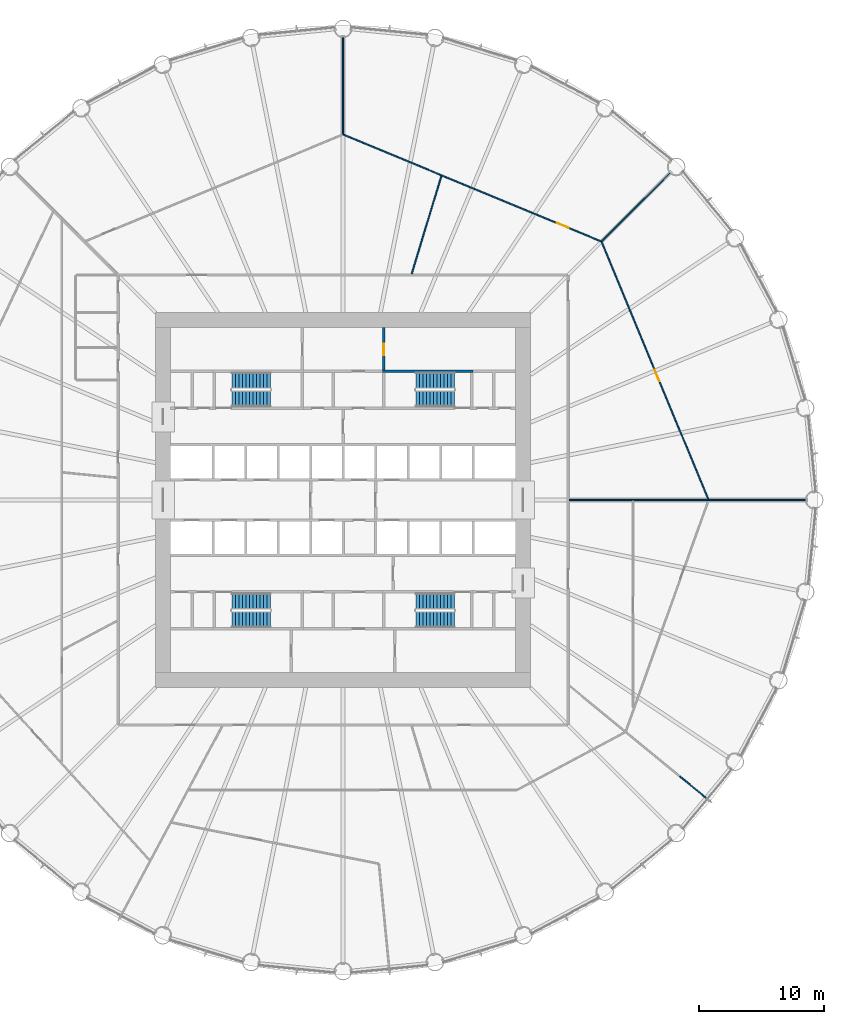
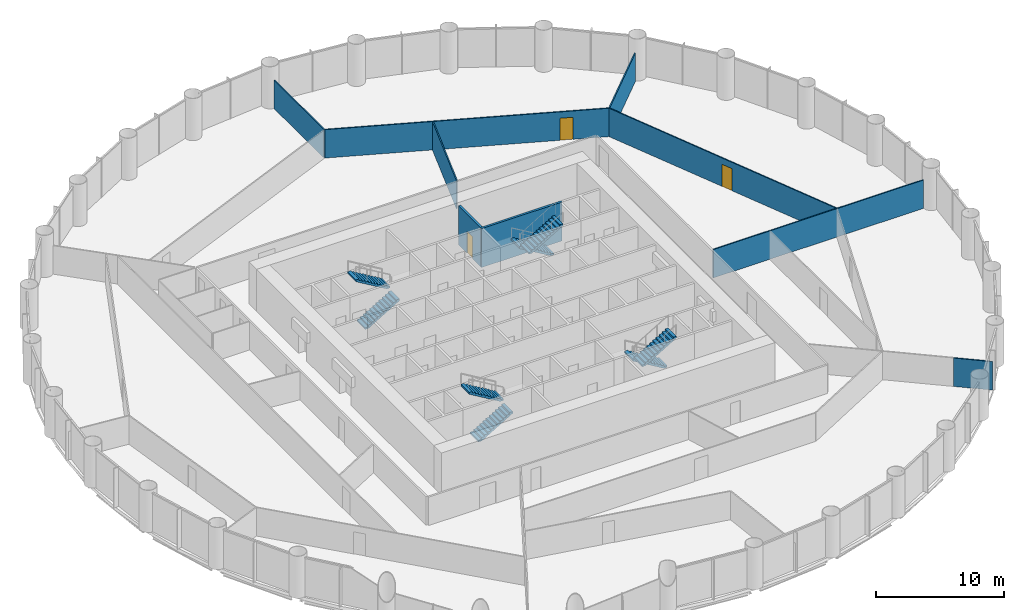
# One storey, part 14 of 15: 9 walls, 8 stair flights, 3 doors, 3 openings, 4 elements without a shape of their own.
"""IFC4 building model written with IfcOpenShell, lengths in metres."""

from ifc_helpers import new_model, si_unit, direction, frame, frame_2d, origin, place, context, subcontext, project, spatial, polyline, rectangle, outline, extrude, material, layer, layer_set, type_object, element, fill, aggregate, save


model = new_model("IFC4")

# Units and contexts
model_context = context("Model", 3, precision=1e-05, world=origin(), true_north=direction((0.0, 1.0)))
body_context = subcontext(model_context, "Body", "Model", "MODEL_VIEW")
ifc_project = project(units=[si_unit("LENGTHUNIT", "METRE"), si_unit("AREAUNIT", "SQUARE_METRE"), si_unit("VOLUMEUNIT", "CUBIC_METRE"), si_unit("PLANEANGLEUNIT", "RADIAN"), si_unit("MASSUNIT", "GRAM", prefix="KILO")], contexts=[model_context])

# Site, building, storey
site_placement = place(None, origin())
site = spatial("IfcSite", under=ifc_project, at=site_placement, CompositionType="ELEMENT")
building_placement = place(site_placement, origin())
building = spatial("IfcBuilding", under=site, at=building_placement, Name="Corvane Civic Tower", CompositionType="ELEMENT")
storey_placement = place(building_placement, frame((0.0, 0.0, 57.0)))
storey = spatial("IfcBuildingStorey", under=building, at=storey_placement, Name="L12", CompositionType="ELEMENT", Elevation=57.0)

# Wall, opening, door
ifc_material_1 = material(Name="Concrete C30/37", Category="concrete")
ifc_layer_1 = layer(ifc_material_1, 0.199951171875)
ifc_layer_set_1 = layer_set([ifc_layer_1], Name="Concrete C30/37")
wall_type_1 = type_object("IfcWallType", Name="CR-WALL-200", PredefinedType="PARTITIONING", material=ifc_layer_set_1)
wall_1_placement = place(storey_placement, frame((3.25, 10.39990234375, 0.0), z_axis=(0.0, 0.0, 1.0), x_axis=(0.0, 1.0, 0.0)))
wall_1 = element("IfcWall", 1, at=wall_1_placement, inside=storey, type_object=wall_type_1, Name="L12 partition wall", PredefinedType="PARTITIONING", context=body_context, shape_type="SweptSolid", body=[
    extrude(rectangle(XDim=3.400146484375, YDim=0.199951171875, at=frame_2d((1.7001953125, 0.0))), origin(), (0.0, 0.0, 1.0), 3.699951171875),
])
opening_1_placement = place(wall_1_placement, frame((1.199951171875, 0.0, 0.0)))
opening_1 = element("IfcOpeningElement", 2, at=opening_1_placement, cuts=wall_1, Name="Opening L12.C08", PredefinedType="OPENING", context=body_context, shape_type="SweptSolid", body=[
    extrude(rectangle(XDim=0.89990234375, YDim=2.10009765625, at=frame_2d((0.449951171875, 1.050048828125))), frame((0.0, 0.10986328125, 0.0), z_axis=(0.0, -1.0, 0.0), x_axis=(1.0, 0.0, 0.0)), (0.0, 0.0, 1.0), 0.219970703125),
])
ifc_material_2 = material(Name="Steel fire door leaf", Category="steel")
door_type_1 = type_object("IfcDoorType", Name="CR-DOOR-900", OperationType="SINGLE_SWING_LEFT", PredefinedType="DOOR", material=ifc_material_2)
door_1_placement = place(opening_1_placement, origin())
door_1 = element("IfcDoor", 3, at=door_1_placement, inside=storey, type_object=door_type_1, Name="L12 door", OperationType="SINGLE_SWING_LEFT", OverallHeight=2.10009765625, OverallWidth=0.89990234375, PredefinedType="DOOR", context=body_context, shape_type="SweptSolid", body=[
    extrude(rectangle(XDim=0.89990234375, YDim=2.10009765625, at=frame_2d((0.449951171875, 1.050048828125))), frame((0.0, 0.02490234375, 0.0), z_axis=(0.0, -1.0, 0.0), x_axis=(1.0, 0.0, 0.0)), (0.0, 0.0, 1.0), 0.050048828125),
])
fill(opening_1, door_1)

# Walls
ifc_material_3 = material(Name="Plasterboard")
ifc_layer_2 = layer(ifc_material_3, 0.10009765625)
ifc_layer_set_2 = layer_set([ifc_layer_2], Name="Plasterboard")
wall_type_2 = type_object("IfcWallType", Name="Partition 100 plasterboard on studs", PredefinedType="PARTITIONING", material=ifc_layer_set_2)
wall_2_placement = place(storey_placement, frame((26.934814453125, -22.104736328125, 0.0), z_axis=(0.0, 0.0, 1.0), x_axis=(0.773024942362, -0.634375628856, 0.0)))
element("IfcWall", 4, at=wall_2_placement, inside=storey, type_object=wall_type_2, Name="Partition L12.005", PredefinedType="PARTITIONING", context=body_context, shape_type="SweptSolid", body=[
    extrude(rectangle(XDim=3.106201171875, YDim=0.10009765625, at=frame_2d((1.55322265625, 0.0))), origin(), (0.0, 0.0, 1.0), 2.699951171875),
])
wall_3_placement = place(storey_placement, frame((18.074951171875, 0.0, 0.0), z_axis=(0.0, 0.0, 1.0), x_axis=(1.0, 0.0, 0.0)))
element("IfcWall", 5, at=wall_3_placement, inside=storey, type_object=wall_type_2, Name="Partition L12.019", PredefinedType="PARTITIONING", context=body_context, shape_type="SweptSolid", body=[
    extrude(rectangle(XDim=18.9150390625, YDim=0.10009765625, at=frame_2d((9.45751953125, 0.0))), origin(), (0.0, 0.0, 1.0), 2.699951171875),
])

# Wall, opening, door
wall_4_placement = place(storey_placement, frame((20.6884765625, 20.644775390625, 0.0), z_axis=(0.0, 0.0, 1.0), x_axis=(0.382682584539, -0.923879883692, 0.0)))
wall_4 = element("IfcWall", 6, at=wall_4_placement, inside=storey, type_object=wall_type_2, Name="Partition L12.020", PredefinedType="PARTITIONING", context=body_context, shape_type="SweptSolid", body=[
    extrude(rectangle(XDim=22.27099609375, YDim=0.10009765625, at=frame_2d((11.135498046875, 0.0))), origin(), (0.0, 0.0, 1.0), 2.699951171875),
])
opening_2_placement = place(wall_4_placement, frame((11.07177734375, 0.0, 0.0)))
opening_2 = element("IfcOpeningElement", 7, at=opening_2_placement, cuts=wall_4, Name="Opening L12.020", PredefinedType="OPENING", context=body_context, shape_type="SweptSolid", body=[
    extrude(rectangle(XDim=1.0, YDim=2.10009765625, at=frame_2d((0.5, 1.050048828125))), frame((0.0, 0.06005859375, 0.0), z_axis=(0.0, -1.0, 0.0), x_axis=(1.0, 0.0, 0.0)), (0.0, 0.0, 1.0), 0.1201171875),
])
ifc_material_4 = material(Name="Timber", Category="wood")
door_type_2 = type_object("IfcDoorType", Name="Single door 1000", OperationType="NOTDEFINED", PredefinedType="DOOR", material=ifc_material_4)
door_2_placement = place(opening_2_placement, origin())
door_2 = element("IfcDoor", 8, at=door_2_placement, inside=storey, type_object=door_type_2, Name="Door L12.020", OperationType="SINGLE_SWING_RIGHT", OverallHeight=2.10009765625, OverallWidth=1.0, PredefinedType="DOOR", context=body_context, shape_type="SweptSolid", body=[
    extrude(rectangle(XDim=1.0, YDim=2.10009765625, at=frame_2d((0.5, 1.050048828125))), frame((0.0, 0.02490234375, 0.0), z_axis=(0.0, -1.0, 0.0), x_axis=(1.0, 0.0, 0.0)), (0.0, 0.0, 1.0), 0.050048828125),
])
fill(opening_2, door_2)

# Wall
wall_5_placement = place(storey_placement, frame((5.4873046875, 18.089599609375, 0.0), z_axis=(0.0, 0.0, 1.0), x_axis=(0.290307025947, 0.956933556045, 0.0)))
element("IfcWall", 9, at=wall_5_placement, inside=storey, type_object=wall_type_2, Name="Partition L12.031", PredefinedType="PARTITIONING", context=body_context, shape_type="SweptSolid", body=[
    extrude(rectangle(XDim=8.18603515625, YDim=0.10009765625, at=frame_2d((4.093017578125, 0.0))), origin(), (0.0, 0.0, 1.0), 2.699951171875),
])

# Wall, opening, door
wall_6_placement = place(storey_placement, frame((0.031005859375, 29.22705078125, 0.0), z_axis=(0.0, 0.0, 1.0), x_axis=(0.923878402591, -0.382686160222, 0.0)))
wall_6 = element("IfcWall", 10, at=wall_6_placement, inside=storey, type_object=wall_type_2, Name="Partition L12.032", PredefinedType="PARTITIONING", context=body_context, shape_type="SweptSolid", body=[
    extrude(rectangle(XDim=22.312255859375, YDim=0.10009765625, at=frame_2d((11.15625, 0.0))), origin(), (0.0, 0.0, 1.0), 2.699951171875),
])
opening_3_placement = place(wall_6_placement, frame((18.4853515625, 0.0, 0.0)))
opening_3 = element("IfcOpeningElement", 11, at=opening_3_placement, cuts=wall_6, Name="Opening L12.019", PredefinedType="OPENING", context=body_context, shape_type="SweptSolid", body=[
    extrude(rectangle(XDim=1.0, YDim=2.10009765625, at=frame_2d((0.5, 1.050048828125))), frame((0.0, 0.06005859375, 0.0), z_axis=(0.0, -1.0, 0.0), x_axis=(1.0, 0.0, 0.0)), (0.0, 0.0, 1.0), 0.1201171875),
])
door_3_placement = place(opening_3_placement, origin())
door_3 = element("IfcDoor", 12, at=door_3_placement, inside=storey, type_object=door_type_2, Name="Door L12.019", OperationType="SINGLE_SWING_LEFT", OverallHeight=2.10009765625, OverallWidth=1.0, PredefinedType="DOOR", context=body_context, shape_type="SweptSolid", body=[
    extrude(rectangle(XDim=1.0, YDim=2.10009765625, at=frame_2d((0.5, 1.050048828125))), frame((0.0, 0.02490234375, 0.0), z_axis=(0.0, -1.0, 0.0), x_axis=(1.0, 0.0, 0.0)), (0.0, 0.0, 1.0), 0.050048828125),
])
fill(opening_3, door_3)

# Walls
wall_7_placement = place(storey_placement, frame((20.69921875, 20.69921875, 0.0), z_axis=(0.0, 0.0, 1.0), x_axis=(0.707106781187, 0.707106781187, 0.0)))
element("IfcWall", 13, at=wall_7_placement, inside=storey, type_object=wall_type_2, Name="Partition L12.034", PredefinedType="PARTITIONING", context=body_context, shape_type="SweptSolid", body=[
    extrude(rectangle(XDim=7.717041015625, YDim=0.10009765625, at=frame_2d((3.8583984375, 0.0))), origin(), (0.0, 0.0, 1.0), 2.699951171875),
])
wall_8_placement = place(storey_placement, frame((0.0, 29.273193359375, 0.0), z_axis=(0.0, 0.0, 1.0), x_axis=(0.0, 1.0, 0.0)))
element("IfcWall", 14, at=wall_8_placement, inside=storey, type_object=wall_type_2, Name="Partition L12.035", PredefinedType="PARTITIONING", context=body_context, shape_type="SweptSolid", body=[
    extrude(rectangle(XDim=7.716796875, YDim=0.10009765625, at=frame_2d((3.8583984375, 0.0))), origin(), (0.0, 0.0, 1.0), 2.699951171875),
])
ifc_material_5 = material(Name="Concrete C50/60", Category="concrete")
ifc_layer_3 = layer(ifc_material_5, 0.199951171875)
ifc_layer_set_3 = layer_set([ifc_layer_3], Name="Concrete C50/60")
wall_type_3 = type_object("IfcWallType", Name="ST-WALL-200", PredefinedType="SHEAR", material=ifc_layer_set_3)
wall_9_placement = place(storey_placement, origin())
element("IfcWall", 15, at=wall_9_placement, inside=storey, type_object=wall_type_3, Name="L12 stair enclosure wall", PredefinedType="SHEAR", context=body_context, shape_type="SweptSolid", body=[
    extrude(outline(polyline([(10.39990234375, 10.199951171875), (3.14990234375, 10.199951171875), (3.14990234375, 10.39990234375), (10.39990234375, 10.39990234375), (10.39990234375, 10.199951171875)])), origin(), (0.0, 0.0, 1.0), 3.699951171875),
])

# Stair, stair flights
ifc_material_6 = material(Name="Concrete C40/50", Category="concrete")
stair_type = type_object("IfcStairType", Name="ST-STAIR-HALFTURN", PredefinedType="HALF_TURN_STAIR", material=ifc_material_6)
stair_1_placement = place(storey_placement, origin())
stair_1 = element("IfcStair", 16, at=stair_1_placement, inside=storey, type_object=stair_type, Name="L12 Exit stair ST1", PredefinedType="HALF_TURN_STAIR")
ifc_material_7 = material(Name="Concrete C40/50", Category="concrete")
stair_flight_type = type_object("IfcStairFlightType", Name="ST-FLIGHT-RC", PredefinedType="STRAIGHT", material=ifc_material_7)
stair_flight_1_placement = place(storey_placement, frame((8.89990234375, 9.550048828125, 0.0), z_axis=(0.0, 0.0, 1.0), x_axis=(-1.0, 0.0, 0.0)))
stair_flight_1 = element("IfcStairFlight", 17, at=stair_flight_1_placement, type_object=stair_flight_type, Name="ST1 flight 1", NumberOfRisers=12, NumberOfTreads=11, PredefinedType="STRAIGHT", RiserHeight=0.166666667, TreadLength=0.28, context=body_context, shape_type="SweptSolid", body=[
    extrude(outline(polyline([(0.0, 0.0), (0.0, 0.166748046875), (0.280029296875, 0.166748046875), (0.280029296875, 0.333251953125), (0.56005859375, 0.333251953125), (0.56005859375, 0.5), (0.840087890625, 0.5), (0.840087890625, 0.666748046875), (1.1201171875, 0.666748046875), (1.1201171875, 0.833251953125), (1.39990234375, 0.833251953125), (1.39990234375, 1.0), (1.679931640625, 1.0), (1.679931640625, 1.166748046875), (1.9599609375, 1.166748046875), (1.9599609375, 1.333251953125), (2.239990234375, 1.333251953125), (2.239990234375, 1.5), (2.52001953125, 1.5), (2.52001953125, 1.666748046875), (2.800048828125, 1.666748046875), (2.800048828125, 1.833251953125), (3.080078125, 1.833251953125), (3.080078125, 2.0), (3.080078125, 1.658935546875), (0.29296875, 0.0), (0.0, 0.0)])), frame((0.0, 0.64990234375, 0.0), z_axis=(0.0, -1.0, 0.0), x_axis=(1.0, 0.0, 0.0)), (0.0, 0.0, 1.0), 1.300048828125),
])
stair_flight_2_placement = place(storey_placement, frame((5.820068359375, 8.10009765625, 2.0), z_axis=(0.0, 0.0, 1.0), x_axis=(1.0, 0.0, 0.0)))
stair_flight_2 = element("IfcStairFlight", 18, at=stair_flight_2_placement, type_object=stair_flight_type, Name="ST1 flight 2", NumberOfRisers=12, NumberOfTreads=11, PredefinedType="STRAIGHT", RiserHeight=0.166666667, TreadLength=0.28, context=body_context, shape_type="SweptSolid", body=[
    extrude(outline(polyline([(0.0, 0.0), (0.0, 0.166748046875), (0.280029296875, 0.166748046875), (0.280029296875, 0.333251953125), (0.56005859375, 0.333251953125), (0.56005859375, 0.5), (0.840087890625, 0.5), (0.840087890625, 0.666748046875), (1.1201171875, 0.666748046875), (1.1201171875, 0.833251953125), (1.39990234375, 0.833251953125), (1.39990234375, 1.0), (1.679931640625, 1.0), (1.679931640625, 1.166748046875), (1.9599609375, 1.166748046875), (1.9599609375, 1.333251953125), (2.239990234375, 1.333251953125), (2.239990234375, 1.5), (2.52001953125, 1.5), (2.52001953125, 1.666748046875), (2.800048828125, 1.666748046875), (2.800048828125, 1.833251953125), (3.080078125, 1.833251953125), (3.080078125, 2.0), (3.080078125, 1.658935546875), (0.29296875, 0.0), (0.0, 0.0)])), frame((0.0, 0.64990234375, 0.0), z_axis=(0.0, -1.0, 0.0), x_axis=(1.0, 0.0, 0.0)), (0.0, 0.0, 1.0), 1.300048828125),
])
aggregate(stair_1, [stair_flight_1, stair_flight_2])

stair_2_placement = place(storey_placement, origin())
stair_2 = element("IfcStair", 19, at=stair_2_placement, inside=storey, type_object=stair_type, Name="L12 Exit stair ST2", PredefinedType="HALF_TURN_STAIR")
stair_flight_3_placement = place(storey_placement, frame((8.89990234375, -8.10009765625, 0.0), z_axis=(0.0, 0.0, 1.0), x_axis=(-1.0, 0.0, 0.0)))
stair_flight_3 = element("IfcStairFlight", 20, at=stair_flight_3_placement, type_object=stair_flight_type, Name="ST2 flight 1", NumberOfRisers=12, NumberOfTreads=11, PredefinedType="STRAIGHT", RiserHeight=0.166666667, TreadLength=0.28, context=body_context, shape_type="SweptSolid", body=[
    extrude(outline(polyline([(0.0, 0.0), (0.0, 0.166748046875), (0.280029296875, 0.166748046875), (0.280029296875, 0.333251953125), (0.56005859375, 0.333251953125), (0.56005859375, 0.5), (0.840087890625, 0.5), (0.840087890625, 0.666748046875), (1.1201171875, 0.666748046875), (1.1201171875, 0.833251953125), (1.39990234375, 0.833251953125), (1.39990234375, 1.0), (1.679931640625, 1.0), (1.679931640625, 1.166748046875), (1.9599609375, 1.166748046875), (1.9599609375, 1.333251953125), (2.239990234375, 1.333251953125), (2.239990234375, 1.5), (2.52001953125, 1.5), (2.52001953125, 1.666748046875), (2.800048828125, 1.666748046875), (2.800048828125, 1.833251953125), (3.080078125, 1.833251953125), (3.080078125, 2.0), (3.080078125, 1.658935546875), (0.29296875, 0.0), (0.0, 0.0)])), frame((0.0, 0.64990234375, 0.0), z_axis=(0.0, -1.0, 0.0), x_axis=(1.0, 0.0, 0.0)), (0.0, 0.0, 1.0), 1.300048828125),
])
stair_flight_4_placement = place(storey_placement, frame((5.820068359375, -9.550048828125, 2.0), z_axis=(0.0, 0.0, 1.0), x_axis=(1.0, 0.0, 0.0)))
stair_flight_4 = element("IfcStairFlight", 21, at=stair_flight_4_placement, type_object=stair_flight_type, Name="ST2 flight 2", NumberOfRisers=12, NumberOfTreads=11, PredefinedType="STRAIGHT", RiserHeight=0.166666667, TreadLength=0.28, context=body_context, shape_type="SweptSolid", body=[
    extrude(outline(polyline([(0.0, 0.0), (0.0, 0.166748046875), (0.280029296875, 0.166748046875), (0.280029296875, 0.333251953125), (0.56005859375, 0.333251953125), (0.56005859375, 0.5), (0.840087890625, 0.5), (0.840087890625, 0.666748046875), (1.1201171875, 0.666748046875), (1.1201171875, 0.833251953125), (1.39990234375, 0.833251953125), (1.39990234375, 1.0), (1.679931640625, 1.0), (1.679931640625, 1.166748046875), (1.9599609375, 1.166748046875), (1.9599609375, 1.333251953125), (2.239990234375, 1.333251953125), (2.239990234375, 1.5), (2.52001953125, 1.5), (2.52001953125, 1.666748046875), (2.800048828125, 1.666748046875), (2.800048828125, 1.833251953125), (3.080078125, 1.833251953125), (3.080078125, 2.0), (3.080078125, 1.658935546875), (0.29296875, 0.0), (0.0, 0.0)])), frame((0.0, 0.64990234375, 0.0), z_axis=(0.0, -1.0, 0.0), x_axis=(1.0, 0.0, 0.0)), (0.0, 0.0, 1.0), 1.300048828125),
])
aggregate(stair_2, [stair_flight_3, stair_flight_4])

stair_3_placement = place(storey_placement, origin())
stair_3 = element("IfcStair", 22, at=stair_3_placement, inside=storey, type_object=stair_type, Name="L12 Exit stair ST3", PredefinedType="HALF_TURN_STAIR")
stair_flight_5_placement = place(storey_placement, frame((-8.89990234375, -9.550048828125, 0.0), z_axis=(0.0, 0.0, 1.0), x_axis=(1.0, 0.0, 0.0)))
stair_flight_5 = element("IfcStairFlight", 23, at=stair_flight_5_placement, type_object=stair_flight_type, Name="ST3 flight 1", NumberOfRisers=12, NumberOfTreads=11, PredefinedType="STRAIGHT", RiserHeight=0.166666667, TreadLength=0.28, context=body_context, shape_type="SweptSolid", body=[
    extrude(outline(polyline([(0.0, 0.0), (0.0, 0.166748046875), (0.280029296875, 0.166748046875), (0.280029296875, 0.333251953125), (0.56005859375, 0.333251953125), (0.56005859375, 0.5), (0.840087890625, 0.5), (0.840087890625, 0.666748046875), (1.1201171875, 0.666748046875), (1.1201171875, 0.833251953125), (1.39990234375, 0.833251953125), (1.39990234375, 1.0), (1.679931640625, 1.0), (1.679931640625, 1.166748046875), (1.9599609375, 1.166748046875), (1.9599609375, 1.333251953125), (2.239990234375, 1.333251953125), (2.239990234375, 1.5), (2.52001953125, 1.5), (2.52001953125, 1.666748046875), (2.800048828125, 1.666748046875), (2.800048828125, 1.833251953125), (3.080078125, 1.833251953125), (3.080078125, 2.0), (3.080078125, 1.658935546875), (0.29296875, 0.0), (0.0, 0.0)])), frame((0.0, 0.64990234375, 0.0), z_axis=(0.0, -1.0, 0.0), x_axis=(1.0, 0.0, 0.0)), (0.0, 0.0, 1.0), 1.300048828125),
])
stair_flight_6_placement = place(storey_placement, frame((-5.820068359375, -8.10009765625, 2.0), z_axis=(0.0, 0.0, 1.0), x_axis=(-1.0, 0.0, 0.0)))
stair_flight_6 = element("IfcStairFlight", 24, at=stair_flight_6_placement, type_object=stair_flight_type, Name="ST3 flight 2", NumberOfRisers=12, NumberOfTreads=11, PredefinedType="STRAIGHT", RiserHeight=0.166666667, TreadLength=0.28, context=body_context, shape_type="SweptSolid", body=[
    extrude(outline(polyline([(0.0, 0.0), (0.0, 0.166748046875), (0.280029296875, 0.166748046875), (0.280029296875, 0.333251953125), (0.56005859375, 0.333251953125), (0.56005859375, 0.5), (0.840087890625, 0.5), (0.840087890625, 0.666748046875), (1.1201171875, 0.666748046875), (1.1201171875, 0.833251953125), (1.39990234375, 0.833251953125), (1.39990234375, 1.0), (1.679931640625, 1.0), (1.679931640625, 1.166748046875), (1.9599609375, 1.166748046875), (1.9599609375, 1.333251953125), (2.239990234375, 1.333251953125), (2.239990234375, 1.5), (2.52001953125, 1.5), (2.52001953125, 1.666748046875), (2.800048828125, 1.666748046875), (2.800048828125, 1.833251953125), (3.080078125, 1.833251953125), (3.080078125, 2.0), (3.080078125, 1.658935546875), (0.29296875, 0.0), (0.0, 0.0)])), frame((0.0, 0.64990234375, 0.0), z_axis=(0.0, -1.0, 0.0), x_axis=(1.0, 0.0, 0.0)), (0.0, 0.0, 1.0), 1.300048828125),
])
aggregate(stair_3, [stair_flight_5, stair_flight_6])

stair_4_placement = place(storey_placement, origin())
stair_4 = element("IfcStair", 25, at=stair_4_placement, inside=storey, type_object=stair_type, Name="L12 Exit stair ST4", PredefinedType="HALF_TURN_STAIR")
stair_flight_7_placement = place(storey_placement, frame((-8.89990234375, 8.10009765625, 0.0), z_axis=(0.0, 0.0, 1.0), x_axis=(1.0, 0.0, 0.0)))
stair_flight_7 = element("IfcStairFlight", 26, at=stair_flight_7_placement, type_object=stair_flight_type, Name="ST4 flight 1", NumberOfRisers=12, NumberOfTreads=11, PredefinedType="STRAIGHT", RiserHeight=0.166666667, TreadLength=0.28, context=body_context, shape_type="SweptSolid", body=[
    extrude(outline(polyline([(0.0, 0.0), (0.0, 0.166748046875), (0.280029296875, 0.166748046875), (0.280029296875, 0.333251953125), (0.56005859375, 0.333251953125), (0.56005859375, 0.5), (0.840087890625, 0.5), (0.840087890625, 0.666748046875), (1.1201171875, 0.666748046875), (1.1201171875, 0.833251953125), (1.39990234375, 0.833251953125), (1.39990234375, 1.0), (1.679931640625, 1.0), (1.679931640625, 1.166748046875), (1.9599609375, 1.166748046875), (1.9599609375, 1.333251953125), (2.239990234375, 1.333251953125), (2.239990234375, 1.5), (2.52001953125, 1.5), (2.52001953125, 1.666748046875), (2.800048828125, 1.666748046875), (2.800048828125, 1.833251953125), (3.080078125, 1.833251953125), (3.080078125, 2.0), (3.080078125, 1.658935546875), (0.29296875, 0.0), (0.0, 0.0)])), frame((0.0, 0.64990234375, 0.0), z_axis=(0.0, -1.0, 0.0), x_axis=(1.0, 0.0, 0.0)), (0.0, 0.0, 1.0), 1.300048828125),
])
stair_flight_8_placement = place(storey_placement, frame((-5.820068359375, 9.550048828125, 2.0), z_axis=(0.0, 0.0, 1.0), x_axis=(-1.0, 0.0, 0.0)))
stair_flight_8 = element("IfcStairFlight", 27, at=stair_flight_8_placement, type_object=stair_flight_type, Name="ST4 flight 2", NumberOfRisers=12, NumberOfTreads=11, PredefinedType="STRAIGHT", RiserHeight=0.166666667, TreadLength=0.28, context=body_context, shape_type="SweptSolid", body=[
    extrude(outline(polyline([(0.0, 0.0), (0.0, 0.166748046875), (0.280029296875, 0.166748046875), (0.280029296875, 0.333251953125), (0.56005859375, 0.333251953125), (0.56005859375, 0.5), (0.840087890625, 0.5), (0.840087890625, 0.666748046875), (1.1201171875, 0.666748046875), (1.1201171875, 0.833251953125), (1.39990234375, 0.833251953125), (1.39990234375, 1.0), (1.679931640625, 1.0), (1.679931640625, 1.166748046875), (1.9599609375, 1.166748046875), (1.9599609375, 1.333251953125), (2.239990234375, 1.333251953125), (2.239990234375, 1.5), (2.52001953125, 1.5), (2.52001953125, 1.666748046875), (2.800048828125, 1.666748046875), (2.800048828125, 1.833251953125), (3.080078125, 1.833251953125), (3.080078125, 2.0), (3.080078125, 1.658935546875), (0.29296875, 0.0), (0.0, 0.0)])), frame((0.0, 0.64990234375, 0.0), z_axis=(0.0, -1.0, 0.0), x_axis=(1.0, 0.0, 0.0)), (0.0, 0.0, 1.0), 1.300048828125),
])
aggregate(stair_4, [stair_flight_7, stair_flight_8])

save(model, "model.ifc")
